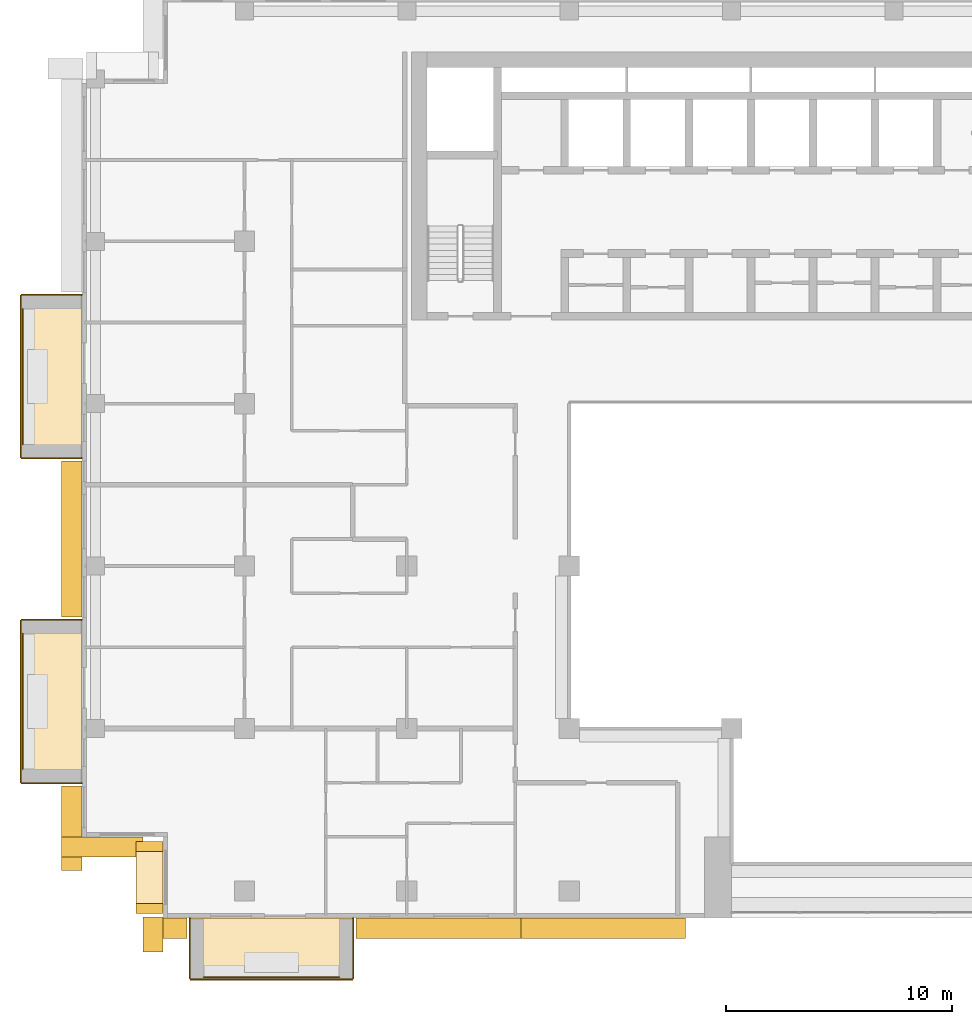
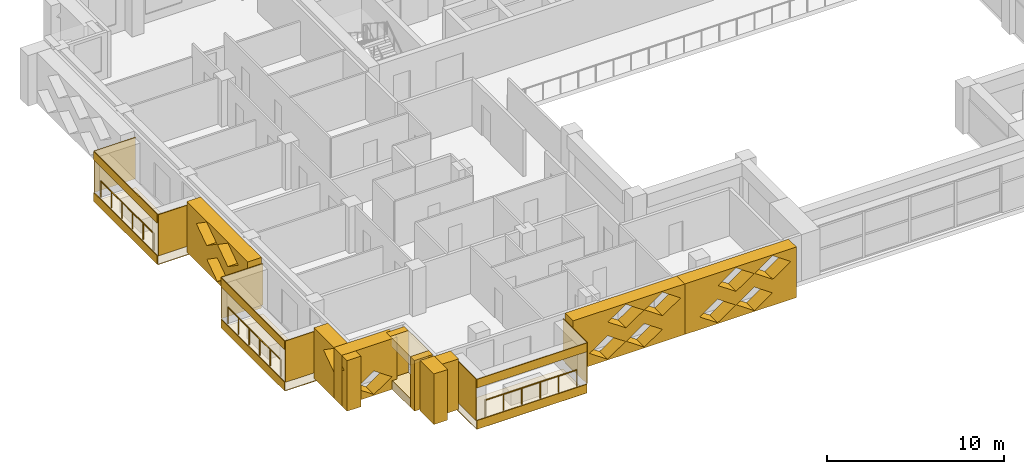
# One storey, part 14 of 20: 26 coverings, 3 railings.
"""IFC4 building model written with IfcOpenShell, lengths in metres."""

from ifc_helpers import new_model, si_unit, direction, frame, origin, origin_2d, place, context, subcontext, project, spatial, polyline, circle, outline, extrude, material, layer, layer_set, type_object, element, save


model = new_model("IFC4")

# Units and contexts
model_context = context("Model", 3, precision=1e-05, world=origin(), true_north=direction((0.0, 1.0)))
body_context = subcontext(model_context, "Body", "Model", "MODEL_VIEW")
ifc_project = project(units=[si_unit("LENGTHUNIT", "METRE"), si_unit("AREAUNIT", "SQUARE_METRE"), si_unit("VOLUMEUNIT", "CUBIC_METRE"), si_unit("PLANEANGLEUNIT", "RADIAN"), si_unit("MASSUNIT", "GRAM", prefix="KILO")], contexts=[model_context])

# Site, building, storey
site_placement = place(None, origin())
site = spatial("IfcSite", under=ifc_project, at=site_placement, CompositionType="ELEMENT")
building_placement = place(site_placement, origin())
building = spatial("IfcBuilding", under=site, at=building_placement, Name="Saffron Iwan Residences", CompositionType="ELEMENT")
storey_placement = place(building_placement, frame((0.0, 0.0, 192.0)))
storey = spatial("IfcBuildingStorey", under=building, at=storey_placement, Name="L51", CompositionType="ELEMENT", Elevation=192.0)

# Railings
ifc_material_1 = material(Name="Stainless steel 316", Category="steel")
railing_type = type_object("IfcRailingType", Name="BALCONY GUARD 1150", PredefinedType="GUARDRAIL", material=ifc_material_1)
for number, where, name in (
    (1, (11.77490234375, 66.60009765625, 0.0), "Balcony guard L51 F8-0"),
    (2, (11.77490234375, 52.199951171875, 0.0), "Balcony guard L51 F8-1"),
):
    element("IfcRailing", number, at=place(storey_placement, frame(where)), inside=storey, type_object=railing_type, Name=name, PredefinedType="GUARDRAIL", context=body_context, shape_type="SweptSolid", body=[
        extrude(circle(Radius=0.02392578125, at=origin_2d()), frame((0.0, 0.0, 1.1259765625), z_axis=(0.0, -1.0, 0.0), x_axis=(1.0, 0.0, 0.0)), (0.0, 0.0, 1.0), 6.0),
        extrude(circle(Radius=0.02099609375, at=origin_2d()), origin(), (0.0, 0.0, 1.0), 1.101806640625),
        extrude(circle(Radius=0.02099609375, at=origin_2d()), frame((0.0, -1.199951171875, 0.0)), (0.0, 0.0, 1.0), 1.101806640625),
        extrude(circle(Radius=0.02099609375, at=origin_2d()), frame((0.0, -2.39990234375, 0.0)), (0.0, 0.0, 1.0), 1.101806640625),
        extrude(circle(Radius=0.02099609375, at=origin_2d()), frame((0.0, -3.60009765625, 0.0)), (0.0, 0.0, 1.0), 1.101806640625),
        extrude(circle(Radius=0.02099609375, at=origin_2d()), frame((0.0, -4.800048828125, 0.0)), (0.0, 0.0, 1.0), 1.101806640625),
        extrude(circle(Radius=0.02099609375, at=origin_2d()), frame((0.0, -6.0, 0.0)), (0.0, 0.0, 1.0), 1.101806640625),
    ])
railing_placement = place(storey_placement, frame((19.800048828125, 36.97509765625, 0.0)))
element("IfcRailing", 3, at=railing_placement, inside=storey, type_object=railing_type, Name="Balcony guard L51 11-0", PredefinedType="GUARDRAIL", context=body_context, shape_type="SweptSolid", body=[
    extrude(circle(Radius=0.02392578125, at=origin_2d()), frame((0.0, 0.0, 1.1259765625), z_axis=(1.0, 0.0, 0.0), x_axis=(0.0, 1.0, 0.0)), (0.0, 0.0, 1.0), 6.0),
    extrude(circle(Radius=0.02099609375, at=origin_2d()), origin(), (0.0, 0.0, 1.0), 1.101806640625),
    extrude(circle(Radius=0.02099609375, at=origin_2d()), frame((1.199951171875, 0.0, 0.0)), (0.0, 0.0, 1.0), 1.101806640625),
    extrude(circle(Radius=0.02099609375, at=origin_2d()), frame((2.39990234375, 0.0, 0.0)), (0.0, 0.0, 1.0), 1.101806640625),
    extrude(circle(Radius=0.02099609375, at=origin_2d()), frame((3.60009765625, 0.0, 0.0)), (0.0, 0.0, 1.0), 1.101806640625),
    extrude(circle(Radius=0.02099609375, at=origin_2d()), frame((4.800048828125, 0.0, 0.0)), (0.0, 0.0, 1.0), 1.101806640625),
    extrude(circle(Radius=0.02099609375, at=origin_2d()), frame((6.0, 0.0, 0.0)), (0.0, 0.0, 1.0), 1.101806640625),
])

# Coverings
ifc_material_2 = material(Name="Precast concrete C40/50 white painted", Category="concrete")
ifc_layer = layer(ifc_material_2, 0.050048828125)
ifc_layer_set = layer_set([ifc_layer], Name="Precast concrete C40/50 white painted")
covering_type_1 = type_object("IfcCoveringType", Name="FRAME SKIN PRECAST WHITE 50", PredefinedType="CLADDING", material=ifc_layer_set)
for number, where, name in (
    (4, (0.0, 0.0, -0.60009765625), "Frame skin slab edge L51 F8-0"),
    (5, (0.0, 0.0, 2.25), "Frame skin fascia L51 F8-0"),
):
    element("IfcCovering", number, at=place(storey_placement, frame(where)), inside=storey, type_object=covering_type_1, Name=name, PredefinedType="CLADDING", context=body_context, shape_type="SweptSolid", body=[
        extrude(outline(polyline([(11.64990234375, 67.199951171875), (11.64990234375, 60.0), (11.699951171875, 60.0), (11.699951171875, 67.199951171875), (11.64990234375, 67.199951171875)])), origin(), (0.0, 0.0, 1.0), 0.60009765625),
    ])
covering_1_placement = place(storey_placement, frame((0.0, 0.0, -0.64990234375)))
element("IfcCovering", 6, at=covering_1_placement, inside=storey, type_object=covering_type_1, Name="Frame skin soffit L51 F8-0", PredefinedType="CLADDING", context=body_context, shape_type="SweptSolid", body=[
    extrude(outline(polyline([(11.699951171875, 67.199951171875), (11.699951171875, 60.0), (14.39990234375, 60.0), (14.39990234375, 67.199951171875), (11.699951171875, 67.199951171875)])), origin(), (0.0, 0.0, 1.0), 0.0498046875),
])
covering_2_placement = place(storey_placement, origin())
element("IfcCovering", 7, at=covering_2_placement, inside=storey, type_object=covering_type_1, Name="Frame skin fin L51 F8-0a", PredefinedType="CLADDING", context=body_context, shape_type="SweptSolid", body=[
    extrude(outline(polyline([(11.699951171875, 67.25), (11.699951171875, 67.199951171875), (14.39990234375, 67.199951171875), (14.39990234375, 67.25), (11.699951171875, 67.25)])), origin(), (0.0, 0.0, 1.0), 2.85009765625),
])
covering_3_placement = place(storey_placement, origin())
element("IfcCovering", 8, at=covering_3_placement, inside=storey, type_object=covering_type_1, Name="Frame skin fin L51 F8-0b", PredefinedType="CLADDING", context=body_context, shape_type="SweptSolid", body=[
    extrude(outline(polyline([(11.699951171875, 60.0), (11.699951171875, 59.949951171875), (14.39990234375, 59.949951171875), (14.39990234375, 60.0), (11.699951171875, 60.0)])), origin(), (0.0, 0.0, 1.0), 2.85009765625),
])
for number, where, name in (
    (9, (0.0, 0.0, -0.60009765625), "Frame skin slab edge L51 F8-1"),
    (10, (0.0, 0.0, 2.25), "Frame skin fascia L51 F8-1"),
):
    element("IfcCovering", number, at=place(storey_placement, frame(where)), inside=storey, type_object=covering_type_1, Name=name, PredefinedType="CLADDING", context=body_context, shape_type="SweptSolid", body=[
        extrude(outline(polyline([(11.64990234375, 52.800048828125), (11.64990234375, 45.60009765625), (11.699951171875, 45.60009765625), (11.699951171875, 52.800048828125), (11.64990234375, 52.800048828125)])), origin(), (0.0, 0.0, 1.0), 0.60009765625),
    ])
covering_4_placement = place(storey_placement, frame((0.0, 0.0, -0.64990234375)))
element("IfcCovering", 11, at=covering_4_placement, inside=storey, type_object=covering_type_1, Name="Frame skin soffit L51 F8-1", PredefinedType="CLADDING", context=body_context, shape_type="SweptSolid", body=[
    extrude(outline(polyline([(11.699951171875, 52.800048828125), (11.699951171875, 45.60009765625), (14.39990234375, 45.60009765625), (14.39990234375, 52.800048828125), (11.699951171875, 52.800048828125)])), origin(), (0.0, 0.0, 1.0), 0.0498046875),
])
covering_5_placement = place(storey_placement, origin())
element("IfcCovering", 12, at=covering_5_placement, inside=storey, type_object=covering_type_1, Name="Frame skin fin L51 F8-1a", PredefinedType="CLADDING", context=body_context, shape_type="SweptSolid", body=[
    extrude(outline(polyline([(11.699951171875, 52.85009765625), (11.699951171875, 52.800048828125), (14.39990234375, 52.800048828125), (14.39990234375, 52.85009765625), (11.699951171875, 52.85009765625)])), origin(), (0.0, 0.0, 1.0), 2.85009765625),
])
covering_6_placement = place(storey_placement, origin())
element("IfcCovering", 13, at=covering_6_placement, inside=storey, type_object=covering_type_1, Name="Frame skin fin L51 F8-1b", PredefinedType="CLADDING", context=body_context, shape_type="SweptSolid", body=[
    extrude(outline(polyline([(11.699951171875, 45.60009765625), (11.699951171875, 45.550048828125), (14.39990234375, 45.550048828125), (14.39990234375, 45.60009765625), (11.699951171875, 45.60009765625)])), origin(), (0.0, 0.0, 1.0), 2.85009765625),
])
for number, where, name in (
    (14, (0.0, 0.0, -0.60009765625), "Frame skin slab edge L51 11-0"),
    (15, (0.0, 0.0, 2.25), "Frame skin fascia L51 11-0"),
):
    element("IfcCovering", number, at=place(storey_placement, frame(where)), inside=storey, type_object=covering_type_1, Name=name, PredefinedType="CLADDING", context=body_context, shape_type="SweptSolid", body=[
        extrude(outline(polyline([(19.199951171875, 36.85009765625), (26.39990234375, 36.85009765625), (26.39990234375, 36.89990234375), (19.199951171875, 36.89990234375), (19.199951171875, 36.85009765625)])), origin(), (0.0, 0.0, 1.0), 0.60009765625),
    ])
covering_7_placement = place(storey_placement, frame((0.0, 0.0, -0.64990234375)))
element("IfcCovering", 16, at=covering_7_placement, inside=storey, type_object=covering_type_1, Name="Frame skin soffit L51 11-0", PredefinedType="CLADDING", context=body_context, shape_type="SweptSolid", body=[
    extrude(outline(polyline([(19.199951171875, 36.89990234375), (26.39990234375, 36.89990234375), (26.39990234375, 39.60009765625), (19.199951171875, 39.60009765625), (19.199951171875, 36.89990234375)])), origin(), (0.0, 0.0, 1.0), 0.0498046875),
])
covering_8_placement = place(storey_placement, origin())
element("IfcCovering", 17, at=covering_8_placement, inside=storey, type_object=covering_type_1, Name="Frame skin fin L51 11-0a", PredefinedType="CLADDING", context=body_context, shape_type="SweptSolid", body=[
    extrude(outline(polyline([(19.14990234375, 36.89990234375), (19.199951171875, 36.89990234375), (19.199951171875, 39.60009765625), (19.14990234375, 39.60009765625), (19.14990234375, 36.89990234375)])), origin(), (0.0, 0.0, 1.0), 2.85009765625),
])
covering_9_placement = place(storey_placement, origin())
element("IfcCovering", 18, at=covering_9_placement, inside=storey, type_object=covering_type_1, Name="Frame skin fin L51 11-0b", PredefinedType="CLADDING", context=body_context, shape_type="SweptSolid", body=[
    extrude(outline(polyline([(26.39990234375, 36.89990234375), (26.449951171875, 36.89990234375), (26.449951171875, 39.60009765625), (26.39990234375, 39.60009765625), (26.39990234375, 36.89990234375)])), origin(), (0.0, 0.0, 1.0), 2.85009765625),
])
ifc_material_3 = material(Name="Precast concrete C40/50", Category="concrete")
covering_type_2 = type_object("IfcCoveringType", Name="OUTER SKIN LATTICE SCREEN", PredefinedType="CLADDING", material=ifc_material_3)
covering_10_placement = place(storey_placement, frame((14.39990234375, 59.85009765625, -0.300048828125), z_axis=(-1.0, 0.0, 0.0), x_axis=(0.0, -1.0, 0.0)))
element("IfcCovering", 19, at=covering_10_placement, inside=storey, type_object=covering_type_2, Name="OUTER SKIN lattice screen L51 F8.1", PredefinedType="CLADDING", context=body_context, shape_type="SweptSolid", body=[
    extrude(outline(polyline([(0.0, 0.0), (6.89990234375, 0.0), (6.89990234375, 3.5), (0.0, 3.5), (0.0, 0.0)]), holes=[polyline([(2.27001953125, 0.875), (3.449951171875, 0.06005859375), (4.6298828125, 0.875), (3.449951171875, 1.68994140625), (2.27001953125, 0.875)]), polyline([(1.070068359375, 2.625), (2.25, 1.81005859375), (3.429931640625, 2.625), (2.25, 3.43994140625), (1.070068359375, 2.625)]), polyline([(3.469970703125, 2.625), (4.64990234375, 1.81005859375), (5.830078125, 2.625), (4.64990234375, 3.43994140625), (3.469970703125, 2.625)])]), origin(), (0.0, 0.0, 1.0), 0.89990234375),
])
covering_11_placement = place(storey_placement, frame((14.39990234375, 45.449951171875, -0.300048828125), z_axis=(-1.0, 0.0, 0.0), x_axis=(0.0, -1.0, 0.0)))
element("IfcCovering", 20, at=covering_11_placement, inside=storey, type_object=covering_type_2, Name="OUTER SKIN lattice screen L51 F8.2", PredefinedType="CLADDING", context=body_context, shape_type="SweptSolid", body=[
    extrude(outline(polyline([(0.0, 0.0), (3.75, 0.0), (3.75, 3.5), (0.0, 3.5), (0.0, 0.0)]), holes=[polyline([(1.070068359375, 2.625), (2.25, 1.81005859375), (3.429931640625, 2.625), (2.25, 3.43994140625), (1.070068359375, 2.625)])]), origin(), (0.0, 0.0, 1.0), 0.89990234375),
])
covering_12_placement = place(storey_placement, frame((13.5, 43.199951171875, -0.300048828125), z_axis=(0.0, -1.0, 0.0), x_axis=(1.0, 0.0, 0.0)))
element("IfcCovering", 21, at=covering_12_placement, inside=storey, type_object=covering_type_2, Name="OUTER SKIN lattice screen L51 F9.0", PredefinedType="CLADDING", context=body_context, shape_type="SweptSolid", body=[
    extrude(outline(polyline([(0.0, 0.0), (3.60009765625, 0.0), (3.60009765625, 3.5), (0.0, 3.5), (0.0, 0.0)]), holes=[polyline([(0.919921875, 0.875), (2.10009765625, 0.06005859375), (3.280029296875, 0.875), (2.10009765625, 1.68994140625), (0.919921875, 0.875)])]), origin(), (0.0, 0.0, 1.0), 0.89990234375),
])
covering_13_placement = place(storey_placement, frame((18.0, 39.64990234375, -0.300048828125), z_axis=(-1.0, 0.0, 0.0), x_axis=(0.0, -1.0, 0.0)))
element("IfcCovering", 22, at=covering_13_placement, inside=storey, type_object=covering_type_2, Name="OUTER SKIN lattice screen L51 F10.0", PredefinedType="CLADDING", context=body_context, shape_type="SweptSolid", body=[
    extrude(outline(polyline([(0.0, 0.0), (1.550048828125, 0.0), (1.550048828125, 3.5), (0.0, 3.5), (0.0, 0.0)])), origin(), (0.0, 0.0, 1.0), 0.89990234375),
])
covering_14_placement = place(storey_placement, frame((17.10009765625, 39.60009765625, -0.300048828125), z_axis=(0.0, -1.0, 0.0), x_axis=(1.0, 0.0, 0.0)))
element("IfcCovering", 23, at=covering_14_placement, inside=storey, type_object=covering_type_2, Name="OUTER SKIN lattice screen L51 F11.0", PredefinedType="CLADDING", context=body_context, shape_type="SweptSolid", body=[
    extrude(outline(polyline([(0.0, 0.0), (1.949951171875, 0.0), (1.949951171875, 3.5), (0.0, 3.5), (0.0, 0.0)])), origin(), (0.0, 0.0, 1.0), 0.900146484375),
])
covering_15_placement = place(storey_placement, frame((26.550048828125, 39.60009765625, -0.300048828125), z_axis=(0.0, -1.0, 0.0), x_axis=(1.0, 0.0, 0.0)))
element("IfcCovering", 24, at=covering_15_placement, inside=storey, type_object=covering_type_2, Name="OUTER SKIN lattice screen L51 F11.1", PredefinedType="CLADDING", context=body_context, shape_type="SweptSolid", body=[
    extrude(outline(polyline([(0.0, 0.0), (7.300048828125, 0.0), (7.300048828125, 3.5), (0.0, 3.5), (0.0, 0.0)]), holes=[polyline([(1.070068359375, 0.875), (2.25, 0.06005859375), (3.429931640625, 0.875), (2.25, 1.68994140625), (1.070068359375, 0.875)]), polyline([(3.469970703125, 0.875), (4.64990234375, 0.06005859375), (5.830078125, 0.875), (4.64990234375, 1.68994140625), (3.469970703125, 0.875)]), polyline([(2.27001953125, 2.625), (3.449951171875, 1.81005859375), (4.6298828125, 2.625), (3.449951171875, 3.43994140625), (2.27001953125, 2.625)]), polyline([(4.669921875, 2.625), (5.85009765625, 1.81005859375), (7.030029296875, 2.625), (5.85009765625, 3.43994140625), (4.669921875, 2.625)])]), origin(), (0.0, 0.0, 1.0), 0.900146484375),
])
covering_16_placement = place(storey_placement, frame((33.85009765625, 39.60009765625, -0.300048828125), z_axis=(0.0, -1.0, 0.0), x_axis=(1.0, 0.0, 0.0)))
element("IfcCovering", 25, at=covering_16_placement, inside=storey, type_object=covering_type_2, Name="OUTER SKIN lattice screen L51 F11.2", PredefinedType="CLADDING", context=body_context, shape_type="SweptSolid", body=[
    extrude(outline(polyline([(0.0, 0.0), (7.300048828125, 0.0), (7.300048828125, 3.5), (0.0, 3.5), (0.0, 0.0)]), holes=[polyline([(0.969970703125, 0.875), (2.14990234375, 0.06005859375), (3.330078125, 0.875), (2.14990234375, 1.68994140625), (0.969970703125, 0.875)]), polyline([(3.3701171875, 0.875), (4.550048828125, 0.06005859375), (5.72998046875, 0.875), (4.550048828125, 1.68994140625), (3.3701171875, 0.875)]), polyline([(2.169921875, 2.625), (3.35009765625, 1.81005859375), (4.530029296875, 2.625), (3.35009765625, 3.43994140625), (2.169921875, 2.625)]), polyline([(4.570068359375, 2.625), (5.75, 1.81005859375), (6.929931640625, 2.625), (5.75, 3.43994140625), (4.570068359375, 2.625)])]), origin(), (0.0, 0.0, 1.0), 0.900146484375),
])
covering_type_3 = type_object("IfcCoveringType", Name="WHITE SUN FRAME PRECAST", PredefinedType="CLADDING", material=ifc_material_2)
for number, where, z_axis, x_axis, name in (
    (26, (18.0, 43.0, -0.300048828125), (-1.0, 0.0, 0.0), (0.0, -1.0, 0.0), "Sun frame L51 F10 0.2a"),
    (27, (18.0, 40.25, -0.300048828125), (-1.0, 0.0, 0.0), (0.0, -1.0, 0.0), "Sun frame L51 F10 0.2b"),
):
    element("IfcCovering", number, at=place(storey_placement, frame(where, z_axis=z_axis, x_axis=x_axis)), inside=storey, type_object=covering_type_3, Name=name, PredefinedType="CLADDING", context=body_context, shape_type="SweptSolid", body=[
        extrude(outline(polyline([(0.0, 0.0), (0.449951171875, 0.0), (0.449951171875, 3.5), (0.0, 3.5), (0.0, 0.0)])), origin(), (0.0, 0.0, 1.0), 1.199951171875),
    ])
for number, where, z_axis, x_axis, name in (
    (28, (18.0, 42.550048828125, 2.60009765625), (-1.0, 0.0, 0.0), (0.0, -1.0, 0.0), "Sun frame L51 F10 0.2h"),
    (29, (18.0, 42.550048828125, -0.300048828125), (-1.0, 0.0, 0.0), (0.0, -1.0, 0.0), "Sun frame L51 F10 0.2s"),
):
    element("IfcCovering", number, at=place(storey_placement, frame(where, z_axis=z_axis, x_axis=x_axis)), inside=storey, type_object=covering_type_3, Name=name, PredefinedType="CLADDING", context=body_context, shape_type="SweptSolid", body=[
        extrude(outline(polyline([(0.0, 0.0), (2.300048828125, 0.0), (2.300048828125, 0.60009765625), (0.0, 0.60009765625), (0.0, 0.0)])), origin(), (0.0, 0.0, 1.0), 1.199951171875),
    ])

save(model, "model.ifc")
